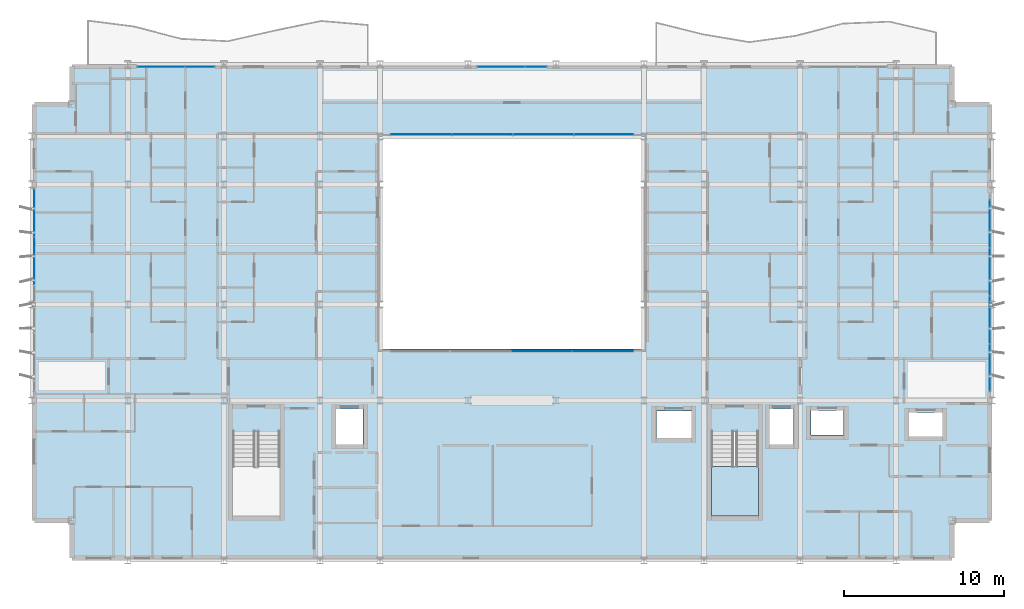
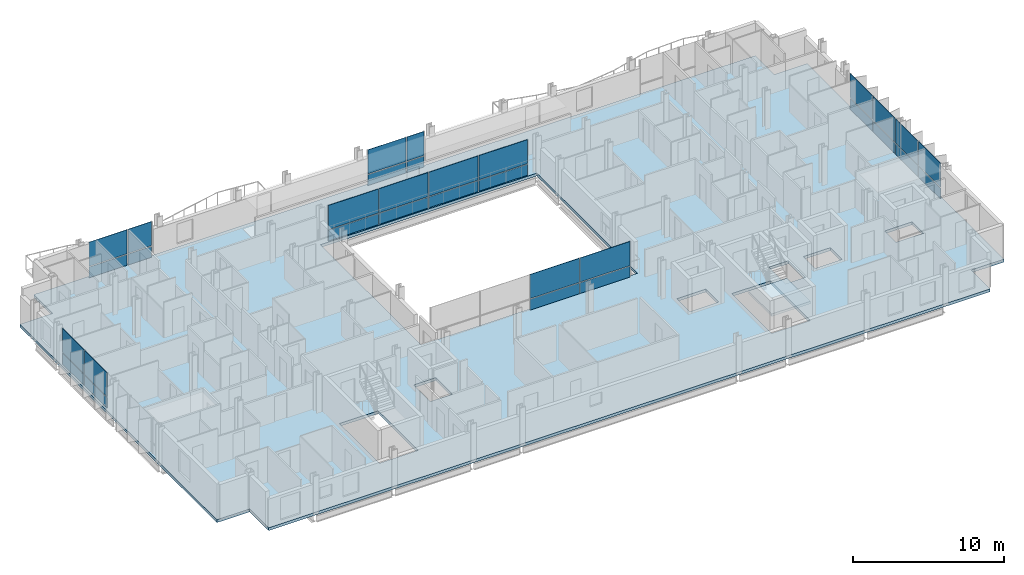
# One storey, part 23 of 39: 32 plates, 2 slabs, 7 elements without a shape of their own.
"""IFC4 building model written with IfcOpenShell, lengths in metres."""

from ifc_helpers import new_model, si_unit, direction, frame, origin, origin_2d, place, context, subcontext, project, spatial, polyline, rectangle, outline, extrude, material, layer, layer_set, type_object, element, aggregate, save


model = new_model("IFC4")

# Units and contexts
model_context = context("Model", 3, precision=1e-05, world=origin(), true_north=direction((0.0, 1.0)))
body_context = subcontext(model_context, "Body", "Model", "MODEL_VIEW")
ifc_project = project(units=[si_unit("LENGTHUNIT", "METRE"), si_unit("AREAUNIT", "SQUARE_METRE"), si_unit("VOLUMEUNIT", "CUBIC_METRE"), si_unit("PLANEANGLEUNIT", "RADIAN"), si_unit("MASSUNIT", "GRAM", prefix="KILO")], contexts=[model_context])

# Site, building, storey
site_placement = place(None, origin())
site = spatial("IfcSite", under=ifc_project, at=site_placement, CompositionType="ELEMENT")
building_placement = place(site_placement, origin())
building = spatial("IfcBuilding", under=site, at=building_placement, Name="Brevholm Reach", CompositionType="ELEMENT")
storey_placement = place(building_placement, frame((0.0, 0.0, 77.60009765625)))
storey = spatial("IfcBuildingStorey", under=building, at=storey_placement, Name="L22", CompositionType="ELEMENT", Elevation=77.60009765625)

# Curtain wall, plates
ifc_material_1 = material(Name="Dark Anodised Aluminium 6063-T6 and Solar-Control Glass", Category="aluminium")
ifc_layer_1 = layer(ifc_material_1, 0.14990234375)
ifc_layer_set_1 = layer_set([ifc_layer_1], Name="Dark Anodised Aluminium 6063-T6 and Solar-Control Glass")
curtain_wall_type_1 = type_object("IfcCurtainWallType", Name="CW-01", PredefinedType="NOTDEFINED", material=ifc_layer_set_1)
curtain_wall_1_placement = place(storey_placement, origin())
curtain_wall_1 = element("IfcCurtainWall", 1, at=curtain_wall_1_placement, inside=storey, type_object=curtain_wall_type_1, Name="L22 Curtain Wall CW-01", PredefinedType="NOTDEFINED")
ifc_material_2 = material(Name="Dark Solar-Control Double-Glazed IGU Glass", Category="glass")
ifc_layer_2 = layer(ifc_material_2, 0.028076171875)
ifc_layer_set_2 = layer_set([ifc_layer_2], Name="Dark Solar-Control Double-Glazed IGU Glass")
plate_type_1 = type_object("IfcPlateType", Name="CWP-GLZ-28", PredefinedType="CURTAIN_PANEL", material=ifc_layer_set_2)
plate_1_placement = place(storey_placement, frame((0.14990234375, 21.703857421875, 0.0), z_axis=(0.0, 0.0, 1.0), x_axis=(0.0, -1.0, 0.0)))
plate_1 = element("IfcPlate", 2, at=plate_1_placement, type_object=plate_type_1, Name="CP-01 Glazing Panel 1.1", PredefinedType="CURTAIN_PANEL", context=body_context, shape_type="SweptSolid", body=[
    extrude(rectangle(XDim=2.902587890625, YDim=0.028076171875, at=origin_2d()), origin(), (0.0, 0.0, 1.0), 0.867431640625),
])
plate_2_placement = place(storey_placement, frame((0.14990234375, 21.703857421875, 0.932373046875), z_axis=(0.0, 0.0, 1.0), x_axis=(0.0, -1.0, 0.0)))
plate_2 = element("IfcPlate", 3, at=plate_2_placement, type_object=plate_type_1, Name="CP-01 Glazing Panel 1.2", PredefinedType="CURTAIN_PANEL", context=body_context, shape_type="SweptSolid", body=[
    extrude(rectangle(XDim=2.902587890625, YDim=0.028076171875, at=origin_2d()), origin(), (0.0, 0.0, 1.0), 1.9375),
])
plate_3_placement = place(storey_placement, frame((0.14990234375, 18.719970703125, 0.0), z_axis=(0.0, 0.0, 1.0), x_axis=(0.0, -1.0, 0.0)))
plate_3 = element("IfcPlate", 4, at=plate_3_placement, type_object=plate_type_1, Name="CP-01 Glazing Panel 2.1", PredefinedType="CURTAIN_PANEL", context=body_context, shape_type="SweptSolid", body=[
    extrude(rectangle(XDim=2.93505859375, YDim=0.028076171875, at=origin_2d()), origin(), (0.0, 0.0, 1.0), 0.867431640625),
])
plate_4_placement = place(storey_placement, frame((0.14990234375, 18.719970703125, 0.932373046875), z_axis=(0.0, 0.0, 1.0), x_axis=(0.0, -1.0, 0.0)))
plate_4 = element("IfcPlate", 5, at=plate_4_placement, type_object=plate_type_1, Name="CP-01 Glazing Panel 2.2", PredefinedType="CURTAIN_PANEL", context=body_context, shape_type="SweptSolid", body=[
    extrude(rectangle(XDim=2.93505859375, YDim=0.028076171875, at=origin_2d()), origin(), (0.0, 0.0, 1.0), 1.9375),
])
aggregate(curtain_wall_1, [plate_1, plate_2, plate_3, plate_4])

curtain_wall_2_placement = place(storey_placement, origin())
curtain_wall_2 = element("IfcCurtainWall", 6, at=curtain_wall_2_placement, inside=storey, type_object=curtain_wall_type_1, Name="L22 Curtain Wall CW-01", PredefinedType="NOTDEFINED")
plate_5_placement = place(storey_placement, frame((59.85009765625, 12.066162109375, 0.0), z_axis=(0.0, 0.0, 1.0), x_axis=(0.0, 1.0, 0.0)))
plate_5 = element("IfcPlate", 7, at=plate_5_placement, type_object=plate_type_1, Name="CP-01 Glazing Panel 1.1", PredefinedType="CURTAIN_PANEL", context=body_context, shape_type="SweptSolid", body=[
    extrude(rectangle(XDim=2.902587890625, YDim=0.028076171875, at=origin_2d()), origin(), (0.0, 0.0, 1.0), 0.867431640625),
])
plate_6_placement = place(storey_placement, frame((59.85009765625, 12.066162109375, 0.932373046875), z_axis=(0.0, 0.0, 1.0), x_axis=(0.0, 1.0, 0.0)))
plate_6 = element("IfcPlate", 8, at=plate_6_placement, type_object=plate_type_1, Name="CP-01 Glazing Panel 1.2", PredefinedType="CURTAIN_PANEL", context=body_context, shape_type="SweptSolid", body=[
    extrude(rectangle(XDim=2.902587890625, YDim=0.028076171875, at=origin_2d()), origin(), (0.0, 0.0, 1.0), 1.9375),
])
plate_7_placement = place(storey_placement, frame((59.85009765625, 15.050048828125, 0.0), z_axis=(0.0, 0.0, 1.0), x_axis=(0.0, 1.0, 0.0)))
plate_7 = element("IfcPlate", 9, at=plate_7_placement, type_object=plate_type_1, Name="CP-01 Glazing Panel 2.1", PredefinedType="CURTAIN_PANEL", context=body_context, shape_type="SweptSolid", body=[
    extrude(rectangle(XDim=2.93505859375, YDim=0.028076171875, at=origin_2d()), origin(), (0.0, 0.0, 1.0), 0.867431640625),
])
plate_8_placement = place(storey_placement, frame((59.85009765625, 15.050048828125, 0.932373046875), z_axis=(0.0, 0.0, 1.0), x_axis=(0.0, 1.0, 0.0)))
plate_8 = element("IfcPlate", 10, at=plate_8_placement, type_object=plate_type_1, Name="CP-01 Glazing Panel 2.2", PredefinedType="CURTAIN_PANEL", context=body_context, shape_type="SweptSolid", body=[
    extrude(rectangle(XDim=2.93505859375, YDim=0.028076171875, at=origin_2d()), origin(), (0.0, 0.0, 1.0), 1.9375),
])
plate_9_placement = place(storey_placement, frame((59.85009765625, 18.050048828125, 0.0), z_axis=(0.0, 0.0, 1.0), x_axis=(0.0, 1.0, 0.0)))
plate_9 = element("IfcPlate", 11, at=plate_9_placement, type_object=plate_type_1, Name="CP-01 Glazing Panel 3.1", PredefinedType="CURTAIN_PANEL", context=body_context, shape_type="SweptSolid", body=[
    extrude(rectangle(XDim=2.93505859375, YDim=0.028076171875, at=origin_2d()), origin(), (0.0, 0.0, 1.0), 0.867431640625),
])
plate_10_placement = place(storey_placement, frame((59.85009765625, 18.050048828125, 0.932373046875), z_axis=(0.0, 0.0, 1.0), x_axis=(0.0, 1.0, 0.0)))
plate_10 = element("IfcPlate", 12, at=plate_10_placement, type_object=plate_type_1, Name="CP-01 Glazing Panel 3.2", PredefinedType="CURTAIN_PANEL", context=body_context, shape_type="SweptSolid", body=[
    extrude(rectangle(XDim=2.93505859375, YDim=0.028076171875, at=origin_2d()), origin(), (0.0, 0.0, 1.0), 1.9375),
])
plate_11_placement = place(storey_placement, frame((59.85009765625, 21.050048828125, 0.0), z_axis=(0.0, 0.0, 1.0), x_axis=(0.0, 1.0, 0.0)))
plate_11 = element("IfcPlate", 13, at=plate_11_placement, type_object=plate_type_1, Name="CP-01 Glazing Panel 4.1", PredefinedType="CURTAIN_PANEL", context=body_context, shape_type="SweptSolid", body=[
    extrude(rectangle(XDim=2.93505859375, YDim=0.028076171875, at=origin_2d()), origin(), (0.0, 0.0, 1.0), 0.867431640625),
])
plate_12_placement = place(storey_placement, frame((59.85009765625, 21.050048828125, 0.932373046875), z_axis=(0.0, 0.0, 1.0), x_axis=(0.0, 1.0, 0.0)))
plate_12 = element("IfcPlate", 14, at=plate_12_placement, type_object=plate_type_1, Name="CP-01 Glazing Panel 4.2", PredefinedType="CURTAIN_PANEL", context=body_context, shape_type="SweptSolid", body=[
    extrude(rectangle(XDim=2.93505859375, YDim=0.028076171875, at=origin_2d()), origin(), (0.0, 0.0, 1.0), 1.9375),
])
aggregate(curtain_wall_2, [plate_5, plate_6, plate_7, plate_8, plate_9, plate_10, plate_11, plate_12])

curtain_wall_3_placement = place(storey_placement, origin())
curtain_wall_3 = element("IfcCurtainWall", 15, at=curtain_wall_3_placement, inside=storey, type_object=curtain_wall_type_1, Name="L22 Curtain Wall CW-01", PredefinedType="NOTDEFINED")
plate_13_placement = place(storey_placement, frame((8.066162109375, 30.85009765625, 0.0), z_axis=(0.0, 0.0, 1.0), x_axis=(1.0, 0.0, 0.0)))
plate_13 = element("IfcPlate", 16, at=plate_13_placement, type_object=plate_type_1, Name="CP-01 Glazing Panel 1.1", PredefinedType="CURTAIN_PANEL", context=body_context, shape_type="SweptSolid", body=[
    extrude(rectangle(XDim=2.902587890625, YDim=0.028076171875, at=origin_2d()), origin(), (0.0, 0.0, 1.0), 0.867431640625),
])
plate_14_placement = place(storey_placement, frame((8.066162109375, 30.85009765625, 0.932373046875), z_axis=(0.0, 0.0, 1.0), x_axis=(1.0, 0.0, 0.0)))
plate_14 = element("IfcPlate", 17, at=plate_14_placement, type_object=plate_type_1, Name="CP-01 Glazing Panel 1.2", PredefinedType="CURTAIN_PANEL", context=body_context, shape_type="SweptSolid", body=[
    extrude(rectangle(XDim=2.902587890625, YDim=0.028076171875, at=origin_2d()), origin(), (0.0, 0.0, 1.0), 1.9375),
])
plate_15_placement = place(storey_placement, frame((10.483642578125, 30.85009765625, 0.0), z_axis=(0.0, 0.0, 1.0), x_axis=(1.0, 0.0, 0.0)))
plate_15 = element("IfcPlate", 18, at=plate_15_placement, type_object=plate_type_1, Name="CP-01 Glazing Panel 2.1", PredefinedType="CURTAIN_PANEL", context=body_context, shape_type="SweptSolid", body=[
    extrude(rectangle(XDim=1.802490234375, YDim=0.028076171875, at=origin_2d()), origin(), (0.0, 0.0, 1.0), 0.867431640625),
])
plate_16_placement = place(storey_placement, frame((10.483642578125, 30.85009765625, 0.932373046875), z_axis=(0.0, 0.0, 1.0), x_axis=(1.0, 0.0, 0.0)))
plate_16 = element("IfcPlate", 19, at=plate_16_placement, type_object=plate_type_1, Name="CP-01 Glazing Panel 2.2", PredefinedType="CURTAIN_PANEL", context=body_context, shape_type="SweptSolid", body=[
    extrude(rectangle(XDim=1.802490234375, YDim=0.028076171875, at=origin_2d()), origin(), (0.0, 0.0, 1.0), 1.9375),
])
aggregate(curtain_wall_3, [plate_13, plate_14, plate_15, plate_16])

curtain_wall_4_placement = place(storey_placement, origin())
curtain_wall_4 = element("IfcCurtainWall", 20, at=curtain_wall_4_placement, inside=storey, type_object=curtain_wall_type_1, Name="L22 Curtain Wall CW-01", PredefinedType="NOTDEFINED")
plate_17_placement = place(storey_placement, frame((29.316162109375, 30.85009765625, 0.0), z_axis=(0.0, 0.0, 1.0), x_axis=(1.0, 0.0, 0.0)))
plate_17 = element("IfcPlate", 21, at=plate_17_placement, type_object=plate_type_1, Name="CP-01 Glazing Panel 1.1", PredefinedType="CURTAIN_PANEL", context=body_context, shape_type="SweptSolid", body=[
    extrude(rectangle(XDim=2.902587890625, YDim=0.028076171875, at=origin_2d()), origin(), (0.0, 0.0, 1.0), 0.867431640625),
])
plate_18_placement = place(storey_placement, frame((29.316162109375, 30.85009765625, 0.932373046875), z_axis=(0.0, 0.0, 1.0), x_axis=(1.0, 0.0, 0.0)))
plate_18 = element("IfcPlate", 22, at=plate_18_placement, type_object=plate_type_1, Name="CP-01 Glazing Panel 1.2", PredefinedType="CURTAIN_PANEL", context=body_context, shape_type="SweptSolid", body=[
    extrude(rectangle(XDim=2.902587890625, YDim=0.028076171875, at=origin_2d()), origin(), (0.0, 0.0, 1.0), 1.9375),
])
plate_19_placement = place(storey_placement, frame((31.483642578125, 30.85009765625, 0.0), z_axis=(0.0, 0.0, 1.0), x_axis=(1.0, 0.0, 0.0)))
plate_19 = element("IfcPlate", 23, at=plate_19_placement, type_object=plate_type_1, Name="CP-01 Glazing Panel 2.1", PredefinedType="CURTAIN_PANEL", context=body_context, shape_type="SweptSolid", body=[
    extrude(rectangle(XDim=1.302490234375, YDim=0.028076171875, at=origin_2d()), origin(), (0.0, 0.0, 1.0), 0.867431640625),
])
plate_20_placement = place(storey_placement, frame((31.483642578125, 30.85009765625, 0.932373046875), z_axis=(0.0, 0.0, 1.0), x_axis=(1.0, 0.0, 0.0)))
plate_20 = element("IfcPlate", 24, at=plate_20_placement, type_object=plate_type_1, Name="CP-01 Glazing Panel 2.2", PredefinedType="CURTAIN_PANEL", context=body_context, shape_type="SweptSolid", body=[
    extrude(rectangle(XDim=1.302490234375, YDim=0.028076171875, at=origin_2d()), origin(), (0.0, 0.0, 1.0), 1.9375),
])
aggregate(curtain_wall_4, [plate_17, plate_18, plate_19, plate_20])

ifc_material_3 = material(Name="Dark Anodised Aluminium 6063-T6 and Solar-Control Glass", Category="aluminium")
ifc_layer_3 = layer(ifc_material_3, 0.139892578125)
ifc_layer_set_3 = layer_set([ifc_layer_3], Name="Dark Anodised Aluminium 6063-T6 and Solar-Control Glass")
curtain_wall_type_2 = type_object("IfcCurtainWallType", Name="CW-02", PredefinedType="NOTDEFINED", material=ifc_layer_set_3)
curtain_wall_5_placement = place(storey_placement, origin())
curtain_wall_5 = element("IfcCurtainWall", 25, at=curtain_wall_5_placement, inside=storey, type_object=curtain_wall_type_2, Name="L22 Curtain Wall CW-02", PredefinedType="NOTDEFINED")
ifc_material_4 = material(Name="Low-Iron Laminated Acoustic Glass", Category="glass")
ifc_layer_4 = layer(ifc_material_4, 0.035888671875)
ifc_layer_set_4 = layer_set([ifc_layer_4], Name="Low-Iron Laminated Acoustic Glass")
plate_type_2 = type_object("IfcPlateType", Name="CWP-GLZ-36", PredefinedType="CURTAIN_PANEL", material=ifc_layer_set_4)
plate_21_placement = place(storey_placement, frame((31.85009765625, 13.080078125, -0.000244140625), z_axis=(0.0, 0.0, 1.0), x_axis=(1.0, 0.0, 0.0)))
plate_21 = element("IfcPlate", 26, at=plate_21_placement, type_object=plate_type_2, Name="CP-02 Glazing Panel 3.1", PredefinedType="CURTAIN_PANEL", context=body_context, shape_type="SweptSolid", body=[
    extrude(rectangle(XDim=3.739990234375, YDim=0.035888671875, at=origin_2d()), origin(), (0.0, 0.0, 1.0), 0.8701171875),
])
plate_22_placement = place(storey_placement, frame((31.85009765625, 13.080078125, 0.929931640625), z_axis=(0.0, 0.0, 1.0), x_axis=(1.0, 0.0, 0.0)))
plate_22 = element("IfcPlate", 27, at=plate_22_placement, type_object=plate_type_2, Name="CP-02 Glazing Panel 3.2", PredefinedType="CURTAIN_PANEL", context=body_context, shape_type="SweptSolid", body=[
    extrude(rectangle(XDim=3.739990234375, YDim=0.035888671875, at=origin_2d()), origin(), (0.0, 0.0, 1.0), 1.93994140625),
])
plate_23_placement = place(storey_placement, frame((35.68505859375, 13.080078125, -0.000244140625), z_axis=(0.0, 0.0, 1.0), x_axis=(1.0, 0.0, 0.0)))
plate_23 = element("IfcPlate", 28, at=plate_23_placement, type_object=plate_type_2, Name="CP-02 Glazing Panel 4.1", PredefinedType="CURTAIN_PANEL", context=body_context, shape_type="SweptSolid", body=[
    extrude(rectangle(XDim=3.81005859375, YDim=0.035888671875, at=origin_2d()), origin(), (0.0, 0.0, 1.0), 0.8701171875),
])
plate_24_placement = place(storey_placement, frame((35.68505859375, 13.080078125, 0.929931640625), z_axis=(0.0, 0.0, 1.0), x_axis=(1.0, 0.0, 0.0)))
plate_24 = element("IfcPlate", 29, at=plate_24_placement, type_object=plate_type_2, Name="CP-02 Glazing Panel 4.2", PredefinedType="CURTAIN_PANEL", context=body_context, shape_type="SweptSolid", body=[
    extrude(rectangle(XDim=3.81005859375, YDim=0.035888671875, at=origin_2d()), origin(), (0.0, 0.0, 1.0), 1.93994140625),
])
aggregate(curtain_wall_5, [plate_21, plate_22, plate_23, plate_24])

curtain_wall_6_placement = place(storey_placement, origin())
curtain_wall_6 = element("IfcCurtainWall", 30, at=curtain_wall_6_placement, inside=storey, type_object=curtain_wall_type_2, Name="L22 Curtain Wall CW-02", PredefinedType="NOTDEFINED")
plate_25_placement = place(storey_placement, frame((35.735107421875, 26.6201171875, -0.000244140625), z_axis=(0.0, 0.0, 1.0), x_axis=(-1.0, 0.0, 0.0)))
plate_25 = element("IfcPlate", 31, at=plate_25_placement, type_object=plate_type_2, Name="CP-02 Glazing Panel 1.1", PredefinedType="CURTAIN_PANEL", context=body_context, shape_type="SweptSolid", body=[
    extrude(rectangle(XDim=3.7099609375, YDim=0.035888671875, at=origin_2d()), origin(), (0.0, 0.0, 1.0), 0.8701171875),
])
plate_26_placement = place(storey_placement, frame((35.735107421875, 26.6201171875, 0.929931640625), z_axis=(0.0, 0.0, 1.0), x_axis=(-1.0, 0.0, 0.0)))
plate_26 = element("IfcPlate", 32, at=plate_26_placement, type_object=plate_type_2, Name="CP-02 Glazing Panel 1.2", PredefinedType="CURTAIN_PANEL", context=body_context, shape_type="SweptSolid", body=[
    extrude(rectangle(XDim=3.7099609375, YDim=0.035888671875, at=origin_2d()), origin(), (0.0, 0.0, 1.0), 1.93994140625),
])
plate_27_placement = place(storey_placement, frame((31.949951171875, 26.6201171875, -0.000244140625), z_axis=(0.0, 0.0, 1.0), x_axis=(-1.0, 0.0, 0.0)))
plate_27 = element("IfcPlate", 33, at=plate_27_placement, type_object=plate_type_2, Name="CP-02 Glazing Panel 2.1", PredefinedType="CURTAIN_PANEL", context=body_context, shape_type="SweptSolid", body=[
    extrude(rectangle(XDim=3.739990234375, YDim=0.035888671875, at=origin_2d()), origin(), (0.0, 0.0, 1.0), 0.8701171875),
])
plate_28_placement = place(storey_placement, frame((31.949951171875, 26.6201171875, 0.929931640625), z_axis=(0.0, 0.0, 1.0), x_axis=(-1.0, 0.0, 0.0)))
plate_28 = element("IfcPlate", 34, at=plate_28_placement, type_object=plate_type_2, Name="CP-02 Glazing Panel 2.2", PredefinedType="CURTAIN_PANEL", context=body_context, shape_type="SweptSolid", body=[
    extrude(rectangle(XDim=3.739990234375, YDim=0.035888671875, at=origin_2d()), origin(), (0.0, 0.0, 1.0), 1.93994140625),
])
plate_29_placement = place(storey_placement, frame((28.14990234375, 26.6201171875, -0.000244140625), z_axis=(0.0, 0.0, 1.0), x_axis=(-1.0, 0.0, 0.0)))
plate_29 = element("IfcPlate", 35, at=plate_29_placement, type_object=plate_type_2, Name="CP-02 Glazing Panel 3.1", PredefinedType="CURTAIN_PANEL", context=body_context, shape_type="SweptSolid", body=[
    extrude(rectangle(XDim=3.739990234375, YDim=0.035888671875, at=origin_2d()), origin(), (0.0, 0.0, 1.0), 0.8701171875),
])
plate_30_placement = place(storey_placement, frame((28.14990234375, 26.6201171875, 0.929931640625), z_axis=(0.0, 0.0, 1.0), x_axis=(-1.0, 0.0, 0.0)))
plate_30 = element("IfcPlate", 36, at=plate_30_placement, type_object=plate_type_2, Name="CP-02 Glazing Panel 3.2", PredefinedType="CURTAIN_PANEL", context=body_context, shape_type="SweptSolid", body=[
    extrude(rectangle(XDim=3.739990234375, YDim=0.035888671875, at=origin_2d()), origin(), (0.0, 0.0, 1.0), 1.93994140625),
])
plate_31_placement = place(storey_placement, frame((24.31494140625, 26.6201171875, -0.000244140625), z_axis=(0.0, 0.0, 1.0), x_axis=(-1.0, 0.0, 0.0)))
plate_31 = element("IfcPlate", 37, at=plate_31_placement, type_object=plate_type_2, Name="CP-02 Glazing Panel 4.1", PredefinedType="CURTAIN_PANEL", context=body_context, shape_type="SweptSolid", body=[
    extrude(rectangle(XDim=3.81005859375, YDim=0.035888671875, at=origin_2d()), origin(), (0.0, 0.0, 1.0), 0.8701171875),
])
plate_32_placement = place(storey_placement, frame((24.31494140625, 26.6201171875, 0.929931640625), z_axis=(0.0, 0.0, 1.0), x_axis=(-1.0, 0.0, 0.0)))
plate_32 = element("IfcPlate", 38, at=plate_32_placement, type_object=plate_type_2, Name="CP-02 Glazing Panel 4.2", PredefinedType="CURTAIN_PANEL", context=body_context, shape_type="SweptSolid", body=[
    extrude(rectangle(XDim=3.81005859375, YDim=0.035888671875, at=origin_2d()), origin(), (0.0, 0.0, 1.0), 1.93994140625),
])
aggregate(curtain_wall_6, [plate_25, plate_26, plate_27, plate_28, plate_29, plate_30, plate_31, plate_32])

# Slab
ifc_material_5 = material(Name="Concrete C40/50", Category="concrete")
ifc_layer_5 = layer(ifc_material_5, 0.22998046875)
ifc_layer_set_5 = layer_set([ifc_layer_5], Name="Concrete C40/50")
slab_type_1 = type_object("IfcSlabType", Name="SLB-FL-230", PredefinedType="FLOOR", material=ifc_layer_set_5)
slab_1_placement = place(storey_placement, frame((0.0, 0.0, -0.22998046875)))
element("IfcSlab", 39, at=slab_1_placement, inside=storey, type_object=slab_type_1, Name="L22 Suspended Floor Slab (main)", PredefinedType="FLOOR", context=body_context, shape_type="SweptSolid", body=[
    extrude(outline(polyline([(2.5, 0.0), (57.5, 0.0), (57.5, 2.5), (60.0, 2.5), (60.0, 28.5), (57.5, 28.5), (57.5, 31.0), (2.5, 31.0), (2.5, 28.5), (0.0, 28.5), (0.0, 2.5), (2.5, 2.5), (2.5, 0.0)]), holes=[polyline([(21.75, 13.199951171875), (38.25, 13.199951171875), (38.25, 26.5), (21.75, 26.5), (21.75, 13.199951171875)]), polyline([(12.550048828125, 2.780029296875), (15.5, 2.780029296875), (15.5, 8.044921875), (12.550048828125, 8.044921875), (12.550048828125, 2.780029296875)]), polyline([(42.449951171875, 2.780029296875), (45.39990234375, 2.780029296875), (45.39990234375, 8.044921875), (42.449951171875, 8.044921875), (42.449951171875, 2.780029296875)]), polyline([(19.0, 7.25), (20.699951171875, 7.25), (20.699951171875, 9.449951171875), (19.0, 9.449951171875), (19.0, 7.25)]), polyline([(46.10009765625, 7.25), (47.60009765625, 7.25), (47.60009765625, 9.449951171875), (46.10009765625, 9.449951171875), (46.10009765625, 7.25)]), polyline([(48.675048828125, 7.824951171875), (50.72509765625, 7.824951171875), (50.72509765625, 9.375), (48.675048828125, 9.375), (48.675048828125, 7.824951171875)]), polyline([(54.800048828125, 7.75), (56.89990234375, 7.75), (56.89990234375, 9.25), (54.800048828125, 9.25), (54.800048828125, 7.75)]), polyline([(39.02001953125, 7.64990234375), (41.219970703125, 7.64990234375), (41.219970703125, 9.35009765625), (39.02001953125, 9.35009765625), (39.02001953125, 7.64990234375)])]), origin(), (0.0, 0.0, 1.0), 0.22998046875),
])

# Stair, slab
ifc_material_6 = material(Name="Precast Concrete C40/50", Category="concrete")
stair_type = type_object("IfcStairType", Name="STR-ESC-1400", PredefinedType="DOUBLE_RETURN_STAIR", material=ifc_material_6)
stair_placement = place(storey_placement, origin())
stair = element("IfcStair", 40, at=stair_placement, inside=storey, type_object=stair_type, Name="L22 ST-2", PredefinedType="DOUBLE_RETURN_STAIR")
ifc_material_7 = material(Name="Concrete C40/50", Category="concrete")
ifc_layer_6 = layer(ifc_material_7, 0.199951171875)
ifc_layer_set_6 = layer_set([ifc_layer_6], Name="Concrete C40/50")
slab_type_2 = type_object("IfcSlabType", Name="SLB-LND-200", PredefinedType="LANDING", material=ifc_layer_set_6)
slab_2_placement = place(storey_placement, frame((0.0, 0.0, 1.349853515625)))
slab_2 = element("IfcSlab", 41, at=slab_2_placement, type_object=slab_type_2, Name="ST-2 landing 1", PredefinedType="LANDING", context=body_context, shape_type="SweptSolid", body=[
    extrude(outline(polyline([(42.449951171875, 5.860107421875), (42.449951171875, 2.780029296875), (45.39990234375, 2.780029296875), (45.39990234375, 5.860107421875), (42.449951171875, 5.860107421875)])), origin(), (0.0, 0.0, 1.0), 0.199951171875),
])
aggregate(stair, [slab_2])

save(model, "model.ifc")
